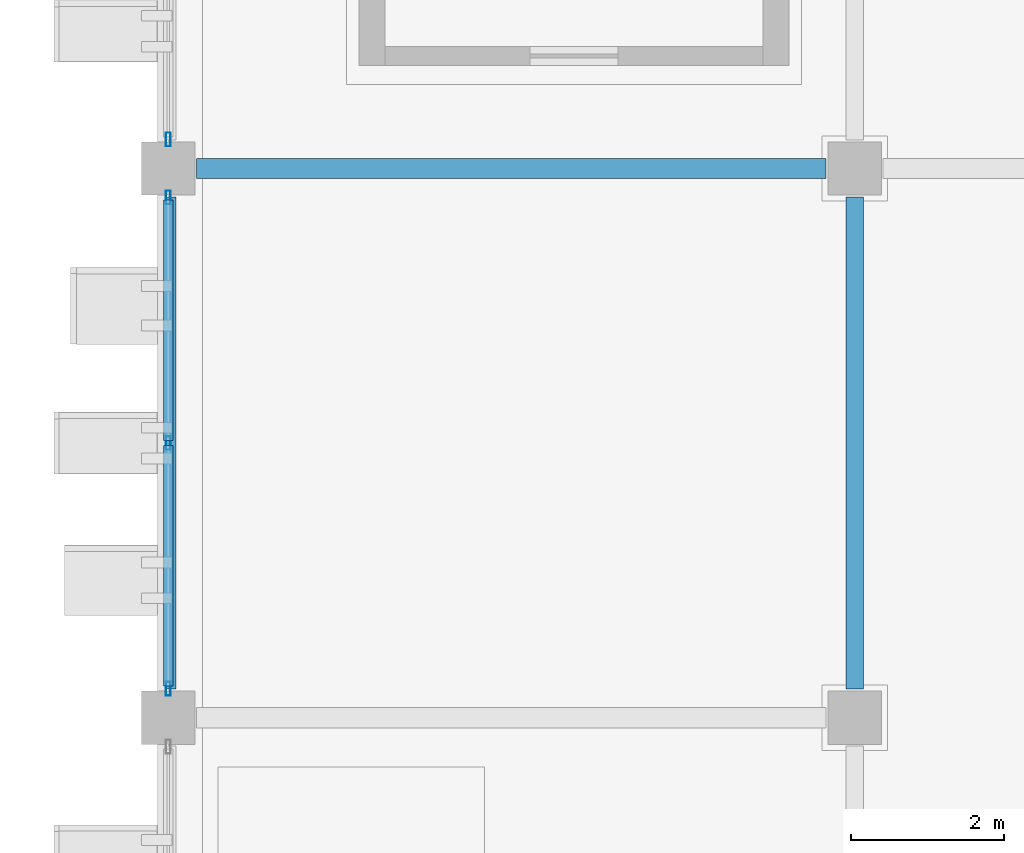
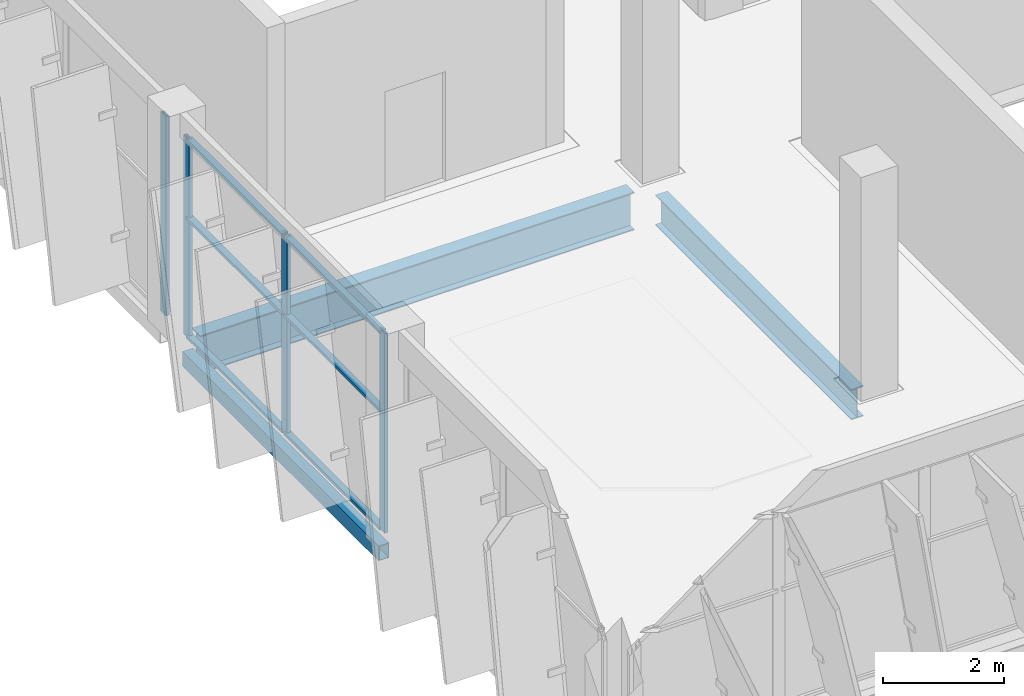
# One storey, part 35 of 151: 10 members, 3 beams, 2 elements without a shape of their own.
"""IFC4 building model written with IfcOpenShell, lengths in metres."""

from ifc_helpers import new_model, si_unit, direction, frame, origin, origin_2d, place, context, subcontext, project, spatial, hollow_rectangle, i_section, extrude, material, layer, layer_set, material_profile, profile_set, type_object, element, aggregate, save


model = new_model("IFC4")

# Units and contexts
model_context = context("Model", 3, precision=1e-05, world=origin(), true_north=direction((0.0, 1.0)))
body_context = subcontext(model_context, "Body", "Model", "MODEL_VIEW")
ifc_project = project(units=[si_unit("LENGTHUNIT", "METRE"), si_unit("AREAUNIT", "SQUARE_METRE"), si_unit("VOLUMEUNIT", "CUBIC_METRE"), si_unit("PLANEANGLEUNIT", "RADIAN"), si_unit("MASSUNIT", "GRAM", prefix="KILO")], contexts=[model_context])

# Site, building, storey
site_placement = place(None, origin())
site = spatial("IfcSite", under=ifc_project, at=site_placement, CompositionType="ELEMENT")
building_placement = place(site_placement, origin())
building = spatial("IfcBuilding", under=site, at=building_placement, Name="Celestram Park Convention Centre", CompositionType="ELEMENT")
storey_placement = place(building_placement, frame((0.0, 0.0, 10.800048828125)))
storey = spatial("IfcBuildingStorey", under=building, at=storey_placement, Name="L02", CompositionType="ELEMENT", Elevation=10.800048828125)

# Curtain wall, members
ifc_material_1 = material(Name="Anodised Aluminium Alloy 6063-T6", Category="aluminium")
ifc_layer = layer(ifc_material_1, 0.179931640625)
ifc_layer_set = layer_set([ifc_layer], Name="Anodised Aluminium Alloy 6063-T6")
curtain_wall_type = type_object("IfcCurtainWallType", Name="ARC-CW-650X401", PredefinedType="NOTDEFINED", material=ifc_layer_set)
curtain_wall_1_placement = place(storey_placement, origin())
curtain_wall_1 = element("IfcCurtainWall", 1, at=curtain_wall_1_placement, inside=storey, type_object=curtain_wall_type, Name="Unitised curtain wall CU-L02-140", PredefinedType="NOTDEFINED")
ifc_material_profile_1 = material_profile(ifc_material_1, hollow_rectangle(XDim=0.06494140625, YDim=0.179931640625, WallThickness=0.00390625, at=origin_2d()), Name="ALU65X180X4")
ifc_profile_set_1 = profile_set([ifc_material_profile_1], Name="Anodised Aluminium Alloy 6063-T6")
member_type_1 = type_object("IfcMemberType", Name="ARC-CWM-150", PredefinedType="MULLION", material=ifc_profile_set_1)
member_1_placement = place(storey_placement, frame((144.0, 7.58056640625, 0.0), z_axis=(0.0, 0.0, 1.0), x_axis=(-1.0, 0.0, 0.0)))
member_1 = element("IfcMember", 2, at=member_1_placement, type_object=member_type_1, Name="CW-65X40 mullion 1", PredefinedType="MULLION", context=body_context, shape_type="SweptSolid", body=[
    extrude(hollow_rectangle(XDim=0.06494140625, YDim=0.179931640625, WallThickness=0.00390625, at=origin_2d()), origin(), (0.0, 0.0, 1.0), 4.010009765625),
])
member_2_placement = place(storey_placement, frame((144.0, 10.800048828125, 0.0), z_axis=(0.0, 0.0, 1.0), x_axis=(-1.0, 0.0, 0.0)))
member_2 = element("IfcMember", 3, at=member_2_placement, type_object=member_type_1, Name="CW-65X40 mullion 2", PredefinedType="MULLION", context=body_context, shape_type="SweptSolid", body=[
    extrude(hollow_rectangle(XDim=0.06494140625, YDim=0.179931640625, WallThickness=0.00390625, at=origin_2d()), origin(), (0.0, 0.0, 1.0), 4.010009765625),
])
member_3_placement = place(storey_placement, frame((144.0, 14.01953125, 0.0), z_axis=(0.0, 0.0, 1.0), x_axis=(-1.0, 0.0, 0.0)))
member_3 = element("IfcMember", 4, at=member_3_placement, type_object=member_type_1, Name="CW-65X40 mullion 3", PredefinedType="MULLION", context=body_context, shape_type="SweptSolid", body=[
    extrude(hollow_rectangle(XDim=0.06494140625, YDim=0.179931640625, WallThickness=0.00390625, at=origin_2d()), origin(), (0.0, 0.0, 1.0), 4.010009765625),
])

# Curtain wall, member
curtain_wall_2_placement = place(storey_placement, origin())
curtain_wall_2 = element("IfcCurtainWall", 5, at=curtain_wall_2_placement, inside=storey, type_object=curtain_wall_type, Name="Unitised curtain wall CU-L02-141", PredefinedType="NOTDEFINED")
member_4_placement = place(storey_placement, frame((144.0, 14.780517578125, 0.0), z_axis=(0.0, 0.0, 1.0), x_axis=(-1.0, 0.0, 0.0)))
member_4 = element("IfcMember", 6, at=member_4_placement, type_object=member_type_1, Name="CW-65X40 mullion 1", PredefinedType="MULLION", context=body_context, shape_type="SweptSolid", body=[
    extrude(hollow_rectangle(XDim=0.06494140625, YDim=0.179931640625, WallThickness=0.00390625, at=origin_2d()), origin(), (0.0, 0.0, 1.0), 4.010009765625),
])
aggregate(curtain_wall_2, [member_4])

# Member
ifc_material_profile_2 = material_profile(ifc_material_1, hollow_rectangle(XDim=0.1201171875, YDim=0.06005859375, WallThickness=0.0029296875, at=origin_2d()), Name="ALU120X60X3")
ifc_profile_set_2 = profile_set([ifc_material_profile_2], Name="Anodised Aluminium Alloy 6063-T6")
member_type_2 = type_object("IfcMemberType", Name="ARC-CWT-120", PredefinedType="USERDEFINED", material=ifc_profile_set_2)
member_5_placement = place(storey_placement, frame((144.0, 7.613037109375, 0.030029296875), z_axis=(0.0, 1.0, 0.0), x_axis=(-1.0, 0.0, 0.0)))
member_5 = element("IfcMember", 7, at=member_5_placement, type_object=member_type_2, Name="CW-65X40 transom 1.1", ObjectType="TRANSOM", PredefinedType="USERDEFINED", context=body_context, shape_type="SweptSolid", body=[
    extrude(hollow_rectangle(XDim=0.1201171875, YDim=0.06005859375, WallThickness=0.0029296875, at=origin_2d()), origin(), (0.0, 0.0, 1.0), 3.154541015625),
])

member_6_placement = place(storey_placement, frame((144.0, 7.613037109375, 2.406005859375), z_axis=(0.0, 1.0, 0.0), x_axis=(-1.0, 0.0, 0.0)))
member_6 = element("IfcMember", 8, at=member_6_placement, type_object=member_type_2, Name="CW-65X40 transom 1.2", ObjectType="TRANSOM", PredefinedType="USERDEFINED", context=body_context, shape_type="SweptSolid", body=[
    extrude(hollow_rectangle(XDim=0.1201171875, YDim=0.06005859375, WallThickness=0.0029296875, at=origin_2d()), origin(), (0.0, 0.0, 1.0), 3.154541015625),
])

member_7_placement = place(storey_placement, frame((144.0, 7.613037109375, 3.97998046875), z_axis=(0.0, 1.0, 0.0), x_axis=(-1.0, 0.0, 0.0)))
member_7 = element("IfcMember", 9, at=member_7_placement, type_object=member_type_2, Name="CW-65X40 transom 1.3", ObjectType="TRANSOM", PredefinedType="USERDEFINED", context=body_context, shape_type="SweptSolid", body=[
    extrude(hollow_rectangle(XDim=0.1201171875, YDim=0.06005859375, WallThickness=0.0029296875, at=origin_2d()), origin(), (0.0, 0.0, 1.0), 3.154541015625),
])

member_8_placement = place(storey_placement, frame((144.0, 10.83251953125, 0.030029296875), z_axis=(0.0, 1.0, 0.0), x_axis=(-1.0, 0.0, 0.0)))
member_8 = element("IfcMember", 10, at=member_8_placement, type_object=member_type_2, Name="CW-65X40 transom 2.1", ObjectType="TRANSOM", PredefinedType="USERDEFINED", context=body_context, shape_type="SweptSolid", body=[
    extrude(hollow_rectangle(XDim=0.1201171875, YDim=0.06005859375, WallThickness=0.0029296875, at=origin_2d()), origin(), (0.0, 0.0, 1.0), 3.154541015625),
])

member_9_placement = place(storey_placement, frame((144.0, 10.83251953125, 2.406005859375), z_axis=(0.0, 1.0, 0.0), x_axis=(-1.0, 0.0, 0.0)))
member_9 = element("IfcMember", 11, at=member_9_placement, type_object=member_type_2, Name="CW-65X40 transom 2.2", ObjectType="TRANSOM", PredefinedType="USERDEFINED", context=body_context, shape_type="SweptSolid", body=[
    extrude(hollow_rectangle(XDim=0.1201171875, YDim=0.06005859375, WallThickness=0.0029296875, at=origin_2d()), origin(), (0.0, 0.0, 1.0), 3.154541015625),
])

member_10_placement = place(storey_placement, frame((144.0, 10.83251953125, 3.97998046875), z_axis=(0.0, 1.0, 0.0), x_axis=(-1.0, 0.0, 0.0)))
member_10 = element("IfcMember", 12, at=member_10_placement, type_object=member_type_2, Name="CW-65X40 transom 2.3", ObjectType="TRANSOM", PredefinedType="USERDEFINED", context=body_context, shape_type="SweptSolid", body=[
    extrude(hollow_rectangle(XDim=0.1201171875, YDim=0.06005859375, WallThickness=0.0029296875, at=origin_2d()), origin(), (0.0, 0.0, 1.0), 3.154541015625),
])

aggregate(curtain_wall_1, [member_1, member_2, member_3, member_5, member_6, member_7, member_8, member_9, member_10])

# Beams
ifc_material_2 = material(Name="Steel ASTM A992 Grade 50", Category="steel")
ifc_material_profile_3 = material_profile(ifc_material_2, i_section(OverallWidth=0.22900390625, OverallDepth=0.612060546875, WebThickness=0.011962890625, FlangeThickness=0.01953125, at=origin_2d()), Name="W24X84")
ifc_profile_set_3 = profile_set([ifc_material_profile_3], Name="Steel ASTM A992 Grade 50")
beam_type_1 = type_object("IfcBeamType", Name="STR-BM-W24X84", PredefinedType="BEAM", material=ifc_profile_set_3)
beam_1_placement = place(storey_placement, frame((153.0, 7.572998046875, -0.5859375), z_axis=(0.0, 1.0, 0.0), x_axis=(-1.0, 0.0, 0.0)))
element("IfcBeam", 13, at=beam_1_placement, inside=storey, type_object=beam_type_1, Name="Primary Y-girder BG-L02-0267", PredefinedType="BEAM", context=body_context, shape_type="SweptSolid", body=[
    extrude(i_section(OverallWidth=0.22900390625, OverallDepth=0.612060546875, WebThickness=0.011962890625, FlangeThickness=0.01953125, at=origin_2d()), origin(), (0.0, 0.0, 1.0), 6.4541015625),
])
ifc_material_profile_4 = material_profile(ifc_material_2, i_section(OverallWidth=0.26708984375, OverallDepth=0.761962890625, WebThickness=0.014404296875, FlangeThickness=0.021484375, at=origin_2d()), Name="W30X116")
ifc_profile_set_4 = profile_set([ifc_material_profile_4], Name="Steel ASTM A992 Grade 50")
beam_type_2 = type_object("IfcBeamType", Name="STR-BM-W30X116", PredefinedType="BEAM", material=ifc_profile_set_4)
beam_2_placement = place(storey_placement, frame((144.373046875, 14.39990234375, -0.6611328125), z_axis=(1.0, 0.0, 0.0), x_axis=(0.0, 1.0, 0.0)))
element("IfcBeam", 14, at=beam_2_placement, inside=storey, type_object=beam_type_2, Name="Primary X-girder BG-L02-0237", PredefinedType="BEAM", context=body_context, shape_type="SweptSolid", body=[
    extrude(i_section(OverallWidth=0.26708984375, OverallDepth=0.761962890625, WebThickness=0.014404296875, FlangeThickness=0.021484375, at=origin_2d()), origin(), (0.0, 0.0, 1.0), 8.25390625),
])
ifc_material_3 = material(Name="Steel ASTM A500 Grade C", Category="steel")
ifc_material_profile_5 = material_profile(ifc_material_3, hollow_rectangle(XDim=0.199951171875, YDim=0.300048828125, WallThickness=0.011962890625, at=origin_2d()), Name="HSS300X200X12")
ifc_profile_set_5 = profile_set([ifc_material_profile_5], Name="Steel ASTM A500 Grade C")
beam_type_3 = type_object("IfcBeamType", Name="STR-SPN-HSS300X200", PredefinedType="SPANDREL", material=ifc_profile_set_5)
beam_3_placement = place(storey_placement, frame((144.0, 7.572998046875, -0.429931640625), z_axis=(0.0, 1.0, 0.0), x_axis=(-1.0, 0.0, 0.0)))
element("IfcBeam", 15, at=beam_3_placement, inside=storey, type_object=beam_type_3, Name="Primary Y-girder BG-L02-0236", PredefinedType="SPANDREL", context=body_context, shape_type="SweptSolid", body=[
    extrude(hollow_rectangle(XDim=0.199951171875, YDim=0.300048828125, WallThickness=0.011962890625, at=origin_2d()), origin(), (0.0, 0.0, 1.0), 6.4541015625),
])

save(model, "model.ifc")
